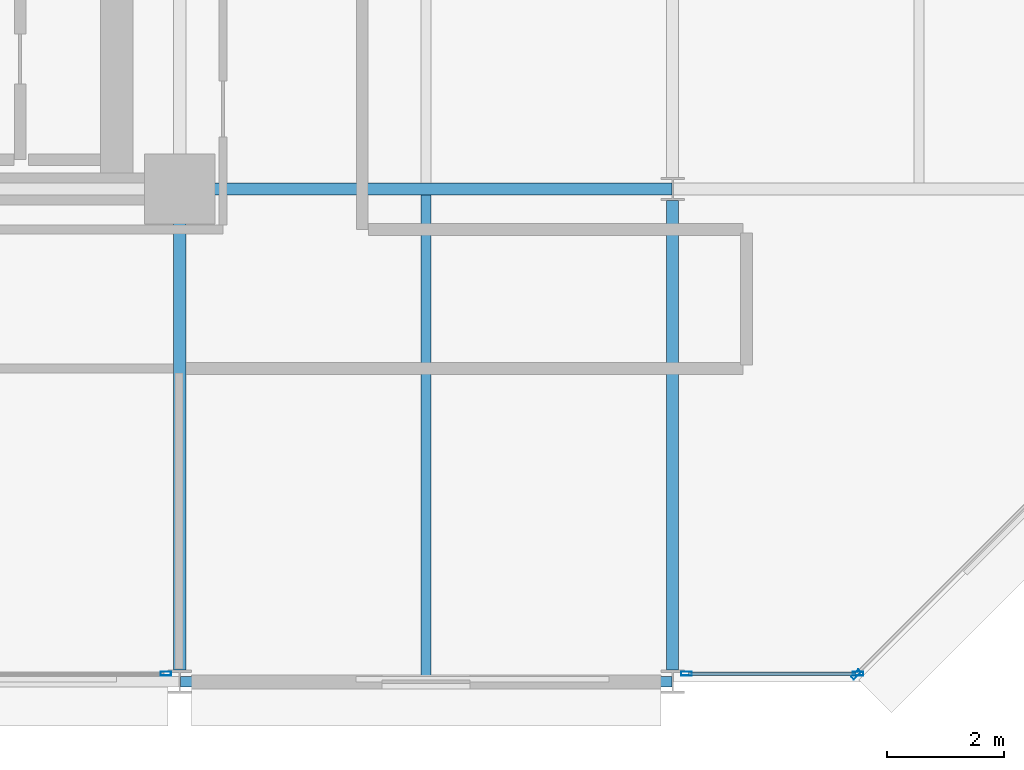
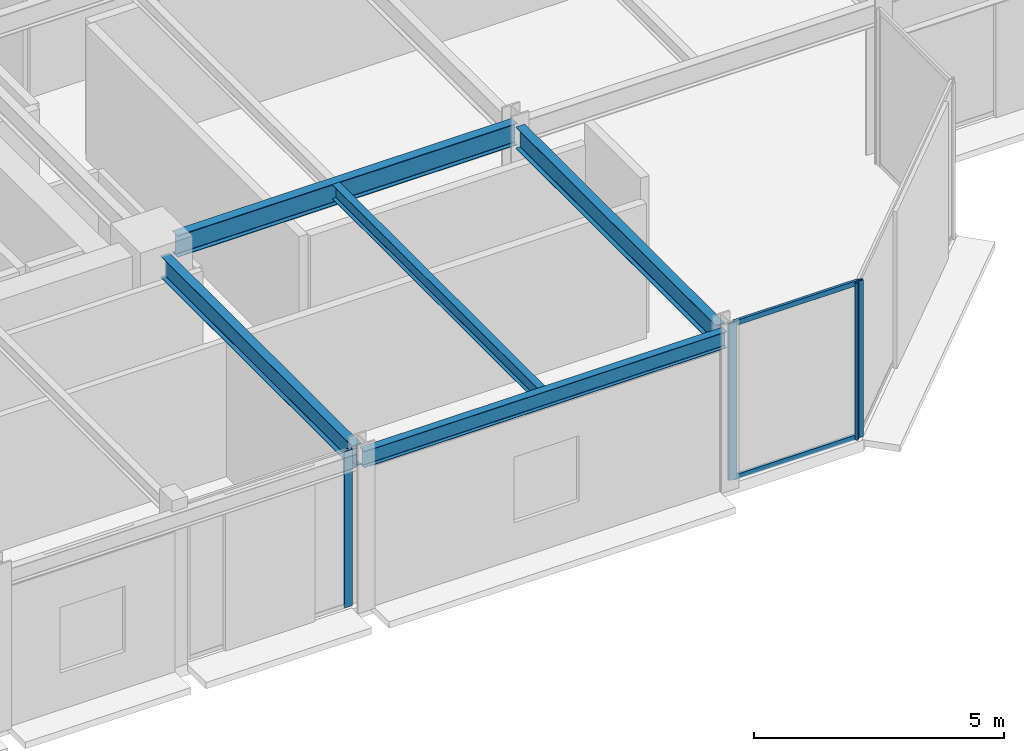
# One storey, part 16 of 39: 6 members, 5 beams, 3 elements without a shape of their own.
"""IFC4 building model written with IfcOpenShell, lengths in metres."""

from ifc_helpers import new_model, si_unit, direction, frame, origin, origin_2d, place, context, subcontext, project, spatial, hollow_rectangle, i_section, extrude, material, layer, layer_set, material_profile, profile_set, type_object, element, aggregate, save


model = new_model("IFC4")

# Units and contexts
model_context = context("Model", 3, precision=1e-05, world=origin(), true_north=direction((0.0, 1.0)))
body_context = subcontext(model_context, "Body", "Model", "MODEL_VIEW")
ifc_project = project(units=[si_unit("LENGTHUNIT", "METRE"), si_unit("AREAUNIT", "SQUARE_METRE"), si_unit("VOLUMEUNIT", "CUBIC_METRE"), si_unit("PLANEANGLEUNIT", "RADIAN"), si_unit("MASSUNIT", "GRAM", prefix="KILO")], contexts=[model_context])

# Site, building, storey
site_placement = place(None, origin())
site = spatial("IfcSite", under=ifc_project, at=site_placement, CompositionType="ELEMENT")
building_placement = place(site_placement, origin())
building = spatial("IfcBuilding", under=site, at=building_placement, Name="Nerrivon Quay Data Exchange", CompositionType="ELEMENT")
storey_placement = place(building_placement, frame((0.0, 0.0, 104.89990234375)))
storey = spatial("IfcBuildingStorey", under=building, at=storey_placement, Name="L24", CompositionType="ELEMENT", Elevation=104.89990234375)

# Beams
ifc_material_1 = material(Name="Steel Grade 350", Category="steel")
ifc_material_profile_1 = material_profile(ifc_material_1, i_section(OverallWidth=0.208984375, OverallDepth=0.532958984375, WebThickness=0.01025390625, FlangeThickness=0.015625, FilletRadius=0.013916015625, at=origin_2d()), Name="530UB92.4")
ifc_profile_set_1 = profile_set([ifc_material_profile_1], Name="Steel Grade 350")
beam_type_1 = type_object("IfcBeamType", Name="BM-G3-530UB92", PredefinedType="BEAM", material=ifc_profile_set_1)
beam_1_placement = place(storey_placement, frame((34.139892578125, 8.39990234375, 3.55859375), z_axis=(1.0, 0.0, 0.0), x_axis=(0.0, 1.0, 0.0)))
element("IfcBeam", 1, at=beam_1_placement, inside=storey, type_object=beam_type_1, Name="L24 EW Girder Y=8.4 (33.6..42.0)", PredefinedType="BEAM", context=body_context, shape_type="SweptSolid", body=[
    extrude(i_section(OverallWidth=0.208984375, OverallDepth=0.532958984375, WebThickness=0.01025390625, FlangeThickness=0.015625, FilletRadius=0.013916015625, at=origin_2d()), origin(), (0.0, 0.0, 1.0), 7.84765625),
])
ifc_material_profile_2 = material_profile(ifc_material_1, i_section(OverallWidth=0.208984375, OverallDepth=0.528076171875, WebThickness=0.009521484375, FlangeThickness=0.01318359375, FilletRadius=0.013916015625, at=origin_2d()), Name="530UB82.0")
ifc_profile_set_2 = profile_set([ifc_material_profile_2], Name="Steel Grade 350")
beam_type_2 = type_object("IfcBeamType", Name="BM-G4-530UB82", PredefinedType="BEAM", material=ifc_profile_set_2)
beam_2_placement = place(storey_placement, frame((33.60009765625, 0.199951171875, 3.56103515625), z_axis=(0.0, 1.0, 0.0), x_axis=(-1.0, 0.0, 0.0)))
element("IfcBeam", 2, at=beam_2_placement, inside=storey, type_object=beam_type_2, Name="L24 NS Girder X=33.6 (0.0..8.4)", PredefinedType="BEAM", context=body_context, shape_type="SweptSolid", body=[
    extrude(i_section(OverallWidth=0.208984375, OverallDepth=0.528076171875, WebThickness=0.009521484375, FlangeThickness=0.01318359375, FilletRadius=0.013916015625, at=origin_2d()), origin(), (0.0, 0.0, 1.0), 7.66015625),
])
beam_3_placement = place(storey_placement, frame((42.0, 0.199951171875, 3.56103515625), z_axis=(0.0, 1.0, 0.0), x_axis=(-1.0, 0.0, 0.0)))
element("IfcBeam", 3, at=beam_3_placement, inside=storey, type_object=beam_type_2, Name="L24 NS Girder X=42.0 (0.0..8.4)", PredefinedType="BEAM", context=body_context, shape_type="SweptSolid", body=[
    extrude(i_section(OverallWidth=0.208984375, OverallDepth=0.528076171875, WebThickness=0.009521484375, FlangeThickness=0.01318359375, FilletRadius=0.013916015625, at=origin_2d()), origin(), (0.0, 0.0, 1.0), 8.0),
])
ifc_material_profile_3 = material_profile(ifc_material_1, i_section(OverallWidth=0.1708984375, OverallDepth=0.35595703125, WebThickness=0.00732421875, FlangeThickness=0.011474609375, FilletRadius=0.011474609375, at=origin_2d()), Name="360UB50.7")
ifc_profile_set_3 = profile_set([ifc_material_profile_3], Name="Steel Grade 350")
beam_type_3 = type_object("IfcBeamType", Name="BM-J4-360UB51", PredefinedType="JOIST", material=ifc_profile_set_3)
beam_4_placement = place(storey_placement, frame((37.800048828125, 0.089111328125, 3.647216796875), z_axis=(0.0, 1.0, 0.0), x_axis=(-1.0, 0.0, 0.0)))
element("IfcBeam", 4, at=beam_4_placement, inside=storey, type_object=beam_type_3, Name="L24 Secondary Joist X=37.8 (0.0..8.4)", PredefinedType="JOIST", context=body_context, shape_type="SweptSolid", body=[
    extrude(i_section(OverallWidth=0.1708984375, OverallDepth=0.35595703125, WebThickness=0.00732421875, FlangeThickness=0.011474609375, FilletRadius=0.011474609375, at=origin_2d()), origin(), (0.0, 0.0, 1.0), 8.206298828125),
])
ifc_material_profile_4 = material_profile(ifc_material_1, i_section(OverallWidth=0.177978515625, OverallDepth=0.403076171875, WebThickness=0.007568359375, FlangeThickness=0.010986328125, FilletRadius=0.011474609375, at=origin_2d()), Name="410UB53.7")
ifc_profile_set_4 = profile_set([ifc_material_profile_4], Name="Steel Grade 350")
beam_type_4 = type_object("IfcBeamType", Name="BM-SP2-410UB54", PredefinedType="SPANDREL", material=ifc_profile_set_4)
beam_5_placement = place(storey_placement, frame((33.612548828125, 0.0, 3.62353515625), z_axis=(1.0, 0.0, 0.0), x_axis=(0.0, 1.0, 0.0)))
element("IfcBeam", 5, at=beam_5_placement, inside=storey, type_object=beam_type_4, Name="L24 EW Girder Y=0.0 (33.6..42.0)", PredefinedType="SPANDREL", context=body_context, shape_type="SweptSolid", body=[
    extrude(i_section(OverallWidth=0.177978515625, OverallDepth=0.403076171875, WebThickness=0.007568359375, FlangeThickness=0.010986328125, FilletRadius=0.011474609375, at=origin_2d()), origin(), (0.0, 0.0, 1.0), 8.375),
])

# Curtain wall, member
ifc_material_2 = material(Name="Anodised aluminium 6063-T6", Category="aluminium")
ifc_layer = layer(ifc_material_2, 0.2099609375)
ifc_layer_set = layer_set([ifc_layer], Name="Anodised aluminium 6063-T6")
curtain_wall_type = type_object("IfcCurtainWallType", Name="CW-SYS-02", PredefinedType="NOTDEFINED", material=ifc_layer_set)
curtain_wall_1_placement = place(storey_placement, origin())
curtain_wall_1 = element("IfcCurtainWall", 6, at=curtain_wall_1_placement, inside=storey, type_object=curtain_wall_type, Name="L24 Unitised Curtain Wall 5", PredefinedType="NOTDEFINED")
ifc_material_profile_5 = material_profile(ifc_material_2, hollow_rectangle(XDim=0.06494140625, YDim=0.179931640625, WallThickness=0.00341796875, at=origin_2d()), Name="ALU-MULL-180x65")
ifc_profile_set_5 = profile_set([ifc_material_profile_5], Name="Anodised aluminium 6063-T6")
member_type_1 = type_object("IfcMemberType", Name="CWM-180x65", PredefinedType="MULLION", material=ifc_profile_set_5)
member_1_placement = place(storey_placement, frame((45.12744140625, 0.12548828125, 0.0), z_axis=(0.0, 0.0, 1.0), x_axis=(0.707106781187, -0.707106781187, 0.0)))
member_1 = element("IfcMember", 7, at=member_1_placement, type_object=member_type_1, Name="CW02 mullion 2", PredefinedType="MULLION", context=body_context, shape_type="SweptSolid", body=[
    extrude(hollow_rectangle(XDim=0.06494140625, YDim=0.179931640625, WallThickness=0.00341796875, at=origin_2d()), origin(), (0.0, 0.0, 1.0), 3.8251953125),
])
aggregate(curtain_wall_1, [member_1])

# Curtain wall, members
curtain_wall_2_placement = place(storey_placement, origin())
curtain_wall_2 = element("IfcCurtainWall", 8, at=curtain_wall_2_placement, inside=storey, type_object=curtain_wall_type, Name="L24 Unitised Curtain Wall 6", PredefinedType="NOTDEFINED")
member_2_placement = place(storey_placement, frame((45.16259765625, 0.139892578125, 0.0), z_axis=(0.0, 0.0, 1.0), x_axis=(0.0, -1.0, 0.0)))
member_2 = element("IfcMember", 9, at=member_2_placement, type_object=member_type_1, Name="CW02 mullion 1", PredefinedType="MULLION", context=body_context, shape_type="SweptSolid", body=[
    extrude(hollow_rectangle(XDim=0.06494140625, YDim=0.179931640625, WallThickness=0.00341796875, at=origin_2d()), origin(), (0.0, 0.0, 1.0), 3.8251953125),
])
member_3_placement = place(storey_placement, frame((42.237548828125, 0.139892578125, 0.0), z_axis=(0.0, 0.0, 1.0), x_axis=(0.0, -1.0, 0.0)))
member_3 = element("IfcMember", 10, at=member_3_placement, type_object=member_type_1, Name="CW02 mullion 2", PredefinedType="MULLION", context=body_context, shape_type="SweptSolid", body=[
    extrude(hollow_rectangle(XDim=0.06494140625, YDim=0.179931640625, WallThickness=0.00341796875, at=origin_2d()), origin(), (0.0, 0.0, 1.0), 3.8251953125),
])

# Curtain wall, member
curtain_wall_3_placement = place(storey_placement, origin())
curtain_wall_3 = element("IfcCurtainWall", 11, at=curtain_wall_3_placement, inside=storey, type_object=curtain_wall_type, Name="L24 Unitised Curtain Wall 8", PredefinedType="NOTDEFINED")
member_4_placement = place(storey_placement, frame((33.362548828125, 0.139892578125, 0.0), z_axis=(0.0, 0.0, 1.0), x_axis=(0.0, -1.0, 0.0)))
member_4 = element("IfcMember", 12, at=member_4_placement, type_object=member_type_1, Name="CW02 mullion 1", PredefinedType="MULLION", context=body_context, shape_type="SweptSolid", body=[
    extrude(hollow_rectangle(XDim=0.06494140625, YDim=0.179931640625, WallThickness=0.00341796875, at=origin_2d()), origin(), (0.0, 0.0, 1.0), 3.8251953125),
])
aggregate(curtain_wall_3, [member_4])

# Member
ifc_material_profile_6 = material_profile(ifc_material_2, hollow_rectangle(XDim=0.06005859375, YDim=0.1201171875, WallThickness=0.003173828125, at=origin_2d()), Name="ALU-TRAN-120x60")
ifc_profile_set_6 = profile_set([ifc_material_profile_6], Name="Anodised aluminium 6063-T6")
member_type_2 = type_object("IfcMemberType", Name="CWT-120x60", PredefinedType="USERDEFINED", material=ifc_profile_set_6)
member_5_placement = place(storey_placement, frame((45.125, 0.139892578125, 0.03271484375), z_axis=(-1.0, 0.0, 0.0), x_axis=(0.0, -1.0, 0.0)))
member_5 = element("IfcMember", 13, at=member_5_placement, type_object=member_type_2, Name="CW02 transom 1.1", ObjectType="TRANSOM", PredefinedType="USERDEFINED", context=body_context, shape_type="SweptSolid", body=[
    extrude(hollow_rectangle(XDim=0.06005859375, YDim=0.1201171875, WallThickness=0.003173828125, at=origin_2d()), origin(), (0.0, 0.0, 1.0), 2.85009765625),
])

member_6_placement = place(storey_placement, frame((45.125, 0.139892578125, 3.79248046875), z_axis=(-1.0, 0.0, 0.0), x_axis=(0.0, -1.0, 0.0)))
member_6 = element("IfcMember", 14, at=member_6_placement, type_object=member_type_2, Name="CW02 transom 1.2", ObjectType="TRANSOM", PredefinedType="USERDEFINED", context=body_context, shape_type="SweptSolid", body=[
    extrude(hollow_rectangle(XDim=0.06005859375, YDim=0.1201171875, WallThickness=0.003173828125, at=origin_2d()), origin(), (0.0, 0.0, 1.0), 2.85009765625),
])

aggregate(curtain_wall_2, [member_2, member_3, member_5, member_6])

save(model, "model.ifc")
